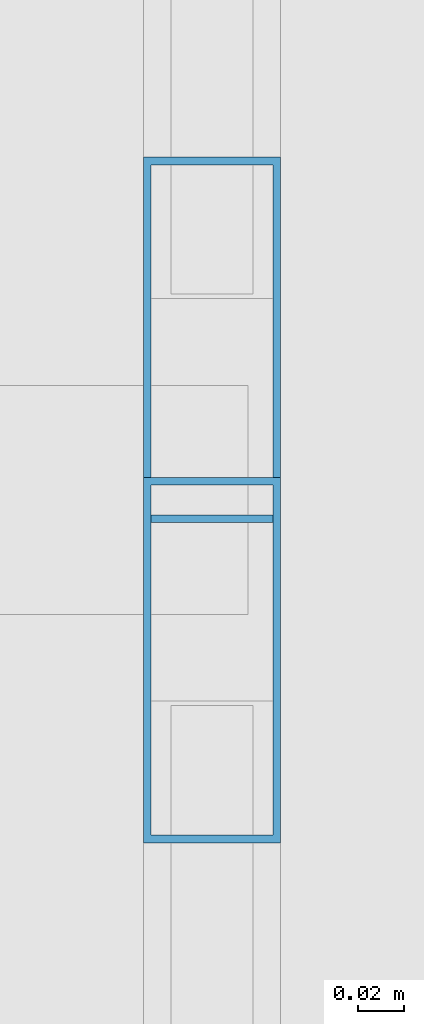
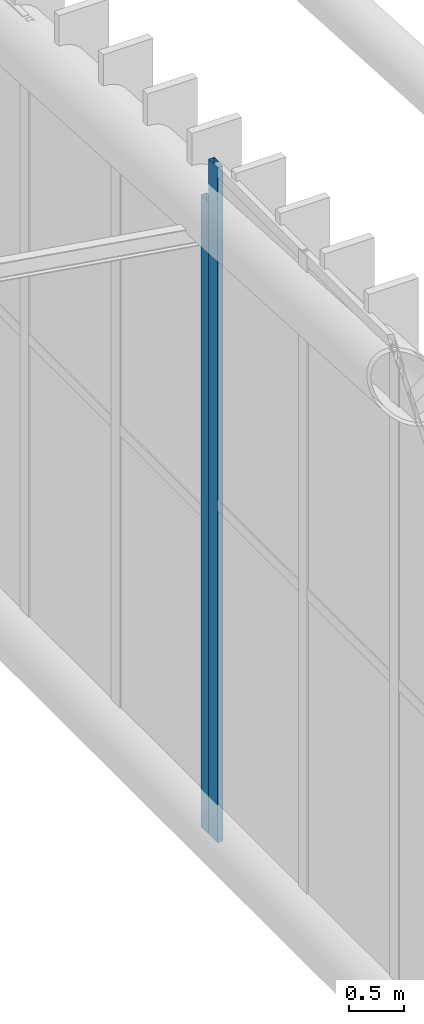
# One storey, part 284 of 397: 2 members, 2 elements without a shape of their own.
"""IFC4 building model written with IfcOpenShell, lengths in metres."""

from ifc_helpers import new_model, si_unit, direction, frame, origin, origin_2d, place, context, subcontext, project, spatial, hollow_rectangle, extrude, material, material_profile, profile_set, type_object, element, aggregate, save


model = new_model("IFC4")

# Units and contexts
model_context = context("Model", 3, precision=1e-05, world=origin(), true_north=direction((0.0, 1.0)))
body_context = subcontext(model_context, "Body", "Model", "MODEL_VIEW")
ifc_project = project(units=[si_unit("LENGTHUNIT", "METRE"), si_unit("AREAUNIT", "SQUARE_METRE"), si_unit("VOLUMEUNIT", "CUBIC_METRE"), si_unit("PLANEANGLEUNIT", "RADIAN"), si_unit("MASSUNIT", "GRAM", prefix="KILO")], contexts=[model_context])

# Site, building, storey
site_placement = place(None, origin())
site = spatial("IfcSite", under=ifc_project, at=site_placement, CompositionType="ELEMENT")
building_placement = place(site_placement, origin())
building = spatial("IfcBuilding", under=site, at=building_placement, Name="Qandorah Velis Arena", CompositionType="ELEMENT")
storey_placement = place(building_placement, frame((0.0, 0.0, 27.5)))
storey = spatial("IfcBuildingStorey", under=building, at=storey_placement, Name="RF", CompositionType="ELEMENT", Elevation=27.5)

# Curtain wall, member
ifc_material_1 = material(Name="Solar-control low-E double glazing", Category="glass")
curtain_wall_type_1 = type_object("IfcCurtainWallType", Name="ARC-CW-SYS14", PredefinedType="USERDEFINED", material=ifc_material_1)
curtain_wall_1_placement = place(storey_placement, origin())
curtain_wall_1 = element("IfcCurtainWall", 1, at=curtain_wall_1_placement, inside=storey, type_object=curtain_wall_type_1, Name="Unitised curtain wall CROWN-2-06S1", ObjectType="UNITISED CURTAIN WALL", PredefinedType="USERDEFINED")
ifc_material_2 = material(Name="Champagne-bronze anodized aluminium 6063-T6", Category="aluminium")
ifc_material_profile = material_profile(ifc_material_2, hollow_rectangle(XDim=0.06005859375, YDim=0.159912109375, WallThickness=0.00341796875, at=origin_2d()), Name="ALU MULLION 60x160")
ifc_profile_set = profile_set([ifc_material_profile], Name="Champagne-bronze anodized aluminium 6063-T6")
member_type = type_object("IfcMemberType", Name="ARC-CWM-160", PredefinedType="MULLION", material=ifc_profile_set)
member_1_placement = place(storey_placement, frame((115.199951171875, 79.1298828125, -0.014892578125), z_axis=(0.0, 0.0, 1.0), x_axis=(-1.0, 0.0, 0.0)))
member_1 = element("IfcMember", 2, at=member_1_placement, type_object=member_type, Name="CW14 mullion 5", PredefinedType="MULLION", context=body_context, shape_type="SweptSolid", body=[
    extrude(hollow_rectangle(XDim=0.06005859375, YDim=0.159912109375, WallThickness=0.00341796875, at=origin_2d()), origin(), (0.0, 0.0, 1.0), 7.452392578125),
])
aggregate(curtain_wall_1, [member_1])

curtain_wall_type_2 = type_object("IfcCurtainWallType", Name="ARC-CW-SYS15", PredefinedType="USERDEFINED", material=ifc_material_1)
curtain_wall_2_placement = place(storey_placement, origin())
curtain_wall_2 = element("IfcCurtainWall", 3, at=curtain_wall_2_placement, inside=storey, type_object=curtain_wall_type_2, Name="Unitised curtain wall CROWN-2-06S2", ObjectType="UNITISED CURTAIN WALL", PredefinedType="USERDEFINED")
member_2_placement = place(storey_placement, frame((115.199951171875, 79.27001953125, -0.014892578125), z_axis=(0.0, 0.0, 1.0), x_axis=(-1.0, 0.0, 0.0)))
member_2 = element("IfcMember", 4, at=member_2_placement, type_object=member_type, Name="CW15 mullion 1", PredefinedType="MULLION", context=body_context, shape_type="SweptSolid", body=[
    extrude(hollow_rectangle(XDim=0.06005859375, YDim=0.159912109375, WallThickness=0.00341796875, at=origin_2d()), origin(), (0.0, 0.0, 1.0), 6.9765625),
])
aggregate(curtain_wall_2, [member_2])

save(model, "model.ifc")
